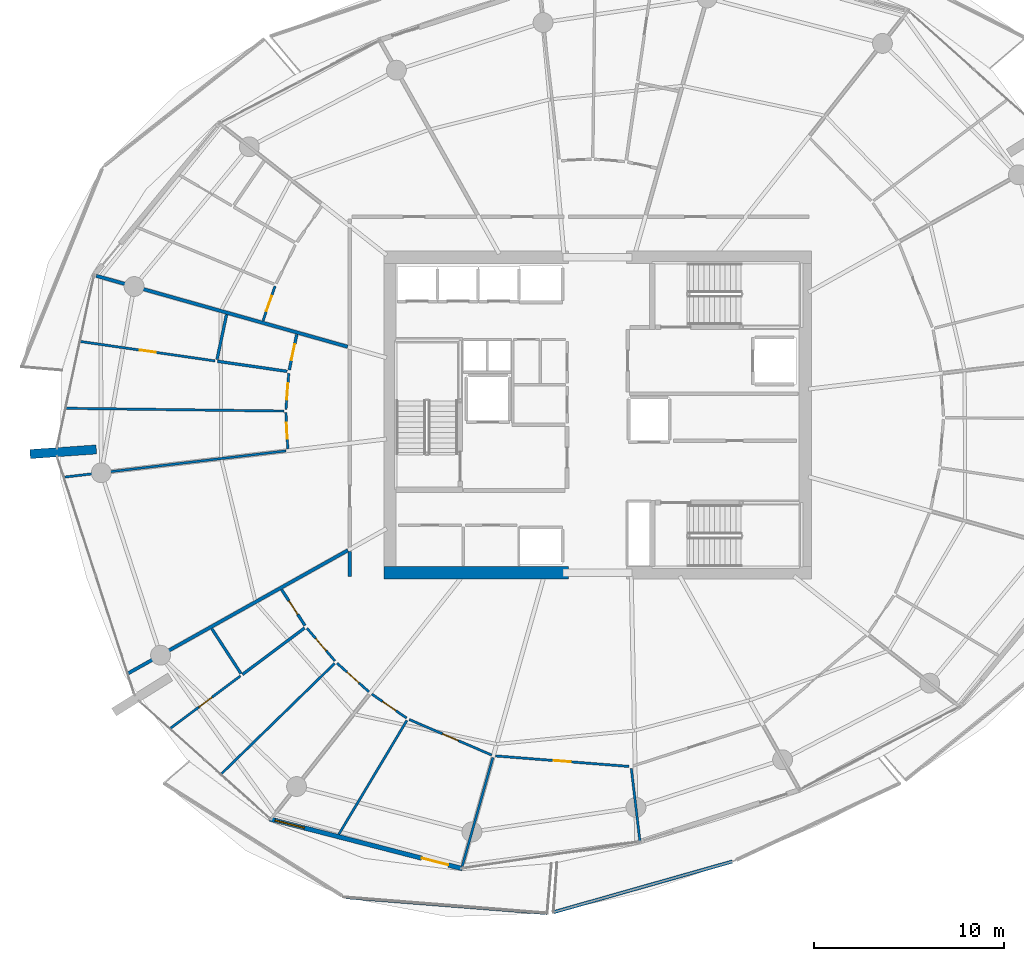
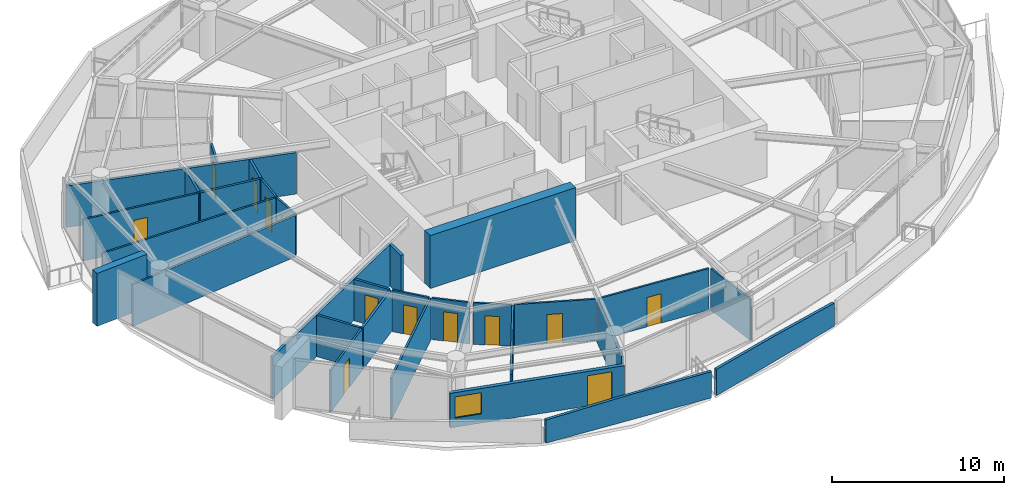
# One storey, part 11 of 20: 30 walls, 13 doors, 1 window, 14 openings.
"""IFC4 building model written with IfcOpenShell, lengths in metres."""

import ifcopenshell
import ifcopenshell.guid

model = None  # the IFC model being written
_history = None  # IfcOwnerHistory: only IFC2X3 demands one
_inside = {}  # id of a spatial element -> (the spatial element, [elements in it])
_under = {}  # id of a project, library or spatial element -> (it, [spatial elements below it])
_declared = {}  # id of a project -> (the project, [libraries it declares])
_typed = {}  # id of a type object -> (the type object, [elements of that type])
_made_of = {}  # id of a material, layer set ... -> (it, [elements and type objects made of it])


def new_model(schema):
    """Start an empty IFC model of exactly this schema.

    Asked for "IFC4X3", IfcOpenShell would pick the latest addendum, in which some entities
    have other attributes; the version numbers below select the first issue.
    IFC2X3 requires an IfcOwnerHistory on every rooted entity: one is made here for all.
    """
    global model, _history
    if schema == "IFC4X3":
        model = ifcopenshell.file(schema_version=(4, 3, 0, 0))
    else:
        model = ifcopenshell.file(schema=schema)
    _inside.clear()
    _under.clear()
    _declared.clear()
    _typed.clear()
    _made_of.clear()
    _history = None
    if model.schema == "IFC2X3":
        org = make("IfcOrganization", Name="unknown")
        user = make(
            "IfcPersonAndOrganization",
            ThePerson=make("IfcPerson", FamilyName="unknown"),
            TheOrganization=org,
        )
        app = make(
            "IfcApplication",
            ApplicationDeveloper=org,
            Version="unknown",
            ApplicationFullName="unknown",
            ApplicationIdentifier="unknown",
        )
        _history = make(
            "IfcOwnerHistory",
            OwningUser=user,
            OwningApplication=app,
            ChangeAction="ADDED",
            CreationDate=0,
        )
    return model


def make(cls, **values):
    """One entity of the class cls with the attributes given. An attribute that is None is left unset."""
    return model.create_entity(
        cls, **{name: value for name, value in values.items() if value is not None}
    )


def rooted(cls, **values):
    """An entity with a GlobalId (a new one), such as an element, a storey or a relation."""
    return make(cls, GlobalId=ifcopenshell.guid.new(), OwnerHistory=_history, **values)


def si_unit(unit_type, name, prefix=None):
    """IfcSIUnit, for example si_unit("LENGTHUNIT", "METRE", prefix="MILLI")."""
    return make("IfcSIUnit", UnitType=unit_type, Prefix=prefix, Name=name)


def assignment(units):
    """IfcUnitAssignment: the units of a project."""
    return None if units is None else make("IfcUnitAssignment", Units=units)


def point(xyz):
    """IfcCartesianPoint."""
    return None if xyz is None else make("IfcCartesianPoint", Coordinates=xyz)


def direction(xyz):
    """IfcDirection."""
    return None if xyz is None else make("IfcDirection", DirectionRatios=xyz)


def frame(location, z_axis=None, x_axis=None):
    """IfcAxis2Placement3D, a coordinate frame: its origin and axes. An axis left out is left unset."""
    return make(
        "IfcAxis2Placement3D",
        Location=point(location),
        Axis=direction(z_axis),
        RefDirection=direction(x_axis),
    )


def frame_2d(location, x_axis=None):
    """IfcAxis2Placement2D, a coordinate frame in the plane: its origin and x axis."""
    return make(
        "IfcAxis2Placement2D", Location=point(location), RefDirection=direction(x_axis)
    )


def origin():
    """The frame at (0, 0, 0) with its axes left unset."""
    return frame((0.0, 0.0, 0.0))


def place(relative_to, where):
    """IfcLocalPlacement: puts the frame where relative to a parent placement (None: the world)."""
    return make(
        "IfcLocalPlacement", PlacementRelTo=relative_to, RelativePlacement=where
    )


def context(
    kind, dimensions, precision=None, world=None, true_north=None, identifier=None
):
    """IfcGeometricRepresentationContext, for example the 3D "Model" context."""
    return make(
        "IfcGeometricRepresentationContext",
        ContextIdentifier=identifier,
        ContextType=kind,
        CoordinateSpaceDimension=dimensions,
        Precision=precision,
        WorldCoordinateSystem=world,
        TrueNorth=true_north,
    )


def subcontext(parent, identifier, kind, view, scale=None):
    """IfcGeometricRepresentationSubContext, for example "Body" below "Model"."""
    return make(
        "IfcGeometricRepresentationSubContext",
        ContextIdentifier=identifier,
        ContextType=kind,
        ParentContext=parent,
        TargetScale=scale,
        TargetView=view,
    )


def project(units=None, contexts=None):
    """IfcProject with its units and contexts."""
    return rooted(
        "IfcProject",
        Name="project",
        RepresentationContexts=contexts,
        UnitsInContext=assignment(units),
    )


def spatial(cls, under=None, at=None, **own):
    """A site, building, storey or space (cls), placed at a placement, below another one or the project."""
    s = rooted(cls, ObjectPlacement=at, **own)
    if under is not None:
        _under.setdefault(under.id(), (under, []))[1].append(s)
    return s


def polyline(points):
    """IfcPolyline through the points."""
    return make("IfcPolyline", Points=[point(p) for p in points])


def profile(cls, at=None, kind="AREA", **sizes):
    """A parametric profile (cls). Its sizes go by their IFC names, for example OverallWidth=200.0."""
    return make(cls, ProfileType=kind, Position=at, **sizes)


def rectangle(**sizes):
    """IfcRectangleProfileDef."""
    return profile("IfcRectangleProfileDef", **sizes)


def outline(outer, holes=None, kind="AREA"):
    """IfcArbitraryClosedProfileDef: a profile drawn as a closed curve; with holes, ...WithVoids."""
    if holes is None:
        return make("IfcArbitraryClosedProfileDef", ProfileType=kind, OuterCurve=outer)
    return make(
        "IfcArbitraryProfileDefWithVoids",
        ProfileType=kind,
        OuterCurve=outer,
        InnerCurves=holes,
    )


def extrude(swept, where, along, depth):
    """IfcExtrudedAreaSolid: the profile swept, set in the frame where, extruded along a direction by depth."""
    return make(
        "IfcExtrudedAreaSolid",
        SweptArea=swept,
        Position=where,
        ExtrudedDirection=direction(along),
        Depth=depth,
    )


def shape(context_of_items, identifier, shape_type, items):
    """IfcShapeRepresentation: the items that make up one representation, for example the "Body"."""
    return make(
        "IfcShapeRepresentation",
        ContextOfItems=context_of_items,
        RepresentationIdentifier=identifier,
        RepresentationType=shape_type,
        Items=items,
    )


def material(Name=None, Category=None):
    """IfcMaterial."""
    return make("IfcMaterial", Name=Name, Category=Category)


def layer(
    of_material, thickness, ventilated=None, Name=None, Category=None, Priority=None
):
    """IfcMaterialLayer: one layer of a wall or slab, of a material (None: an air gap)."""
    return make(
        "IfcMaterialLayer",
        Material=of_material,
        LayerThickness=thickness,
        IsVentilated=ventilated,
        Name=Name,
        Category=Category,
        Priority=Priority,
    )


def layer_set(layers, Name=None):
    """IfcMaterialLayerSet."""
    return make("IfcMaterialLayerSet", MaterialLayers=layers, LayerSetName=Name)


def made_of(thing, what):
    """Note that an element or type object is made of a material, layer set ...; save() writes the relation."""
    if what is not None:
        _made_of.setdefault(what.id(), (what, []))[1].append(thing)
    return thing


def type_object(cls, material=None, **own):
    """A type object (cls), such as IfcWallType, which elements share."""
    return made_of(rooted(cls, **own), material)


def element(
    cls,
    number,
    at=None,
    inside=None,
    cuts=None,
    type_object=None,
    material=None,
    context=None,
    identifier="Body",
    shape_type=None,
    held_by="IfcProductDefinitionShape",
    body=None,
    shapes=None,
    **own,
):
    """One element of the class cls, such as IfcWall. Its Tag is "e" and its number.

    at: its placement. inside: the storey or other place that contains it. cuts: it is an
    opening in that element (IfcRelVoidsElement). A single representation is given by context,
    identifier, shape_type and body (its items); several are given by shapes. held_by: the class
    of the entity that holds the representations. save() writes the other relations.
    """
    e = rooted(cls, Tag="e%d" % number, ObjectPlacement=at, **own)
    if body is not None:
        shapes = [shape(context, identifier, shape_type, body)]
    if shapes is not None:
        e.Representation = make(held_by, Representations=shapes)
    if inside is not None:
        _inside.setdefault(inside.id(), (inside, []))[1].append(e)
    if cuts is not None:
        rooted(
            "IfcRelVoidsElement", RelatingBuildingElement=cuts, RelatedOpeningElement=e
        )
    if type_object is not None:
        _typed.setdefault(type_object.id(), (type_object, []))[1].append(e)
    return made_of(e, material)


def fill(opening, filler):
    """IfcRelFillsElement: the door or window that sits in an opening."""
    return rooted(
        "IfcRelFillsElement",
        RelatingOpeningElement=opening,
        RelatedBuildingElement=filler,
    )


def aggregate(whole, parts):
    """IfcRelAggregates: a whole, such as a stair, and the parts it consists of."""
    return rooted("IfcRelAggregates", RelatingObject=whole, RelatedObjects=parts)


def save(model, path):
    """Write the relations noted so far, then the file.

    IfcRelAggregates (storeys below a building ...), IfcRelContainedInSpatialStructure (elements
    in a storey), IfcRelDefinesByType, IfcRelAssociatesMaterial and IfcRelDeclares: one each for
    every whole, place, type object, material and project.
    """
    for whole, parts in _under.values():
        aggregate(whole, parts)
    for where, things in _inside.values():
        rooted(
            "IfcRelContainedInSpatialStructure",
            RelatedElements=things,
            RelatingStructure=where,
        )
    for kind, things in _typed.values():
        rooted("IfcRelDefinesByType", RelatedObjects=things, RelatingType=kind)
    for what, things in _made_of.values():
        rooted("IfcRelAssociatesMaterial", RelatedObjects=things, RelatingMaterial=what)
    for by, libraries in _declared.values():
        rooted("IfcRelDeclares", RelatingContext=by, RelatedDefinitions=libraries)
    model.write(path)


model = new_model("IFC4")

# Units and contexts
model_context = context("Model", 3, precision=1e-05, world=origin(), true_north=direction((0.0, 1.0)))
body_context = subcontext(model_context, "Body", "Model", "MODEL_VIEW")
ifc_project = project(units=[si_unit("LENGTHUNIT", "METRE"), si_unit("AREAUNIT", "SQUARE_METRE"), si_unit("VOLUMEUNIT", "CUBIC_METRE"), si_unit("PLANEANGLEUNIT", "RADIAN"), si_unit("MASSUNIT", "GRAM", prefix="KILO")], contexts=[model_context])

# Site, building, storey
site_placement = place(None, origin())
site = spatial("IfcSite", under=ifc_project, at=site_placement, CompositionType="ELEMENT")
building_placement = place(site_placement, origin())
building = spatial("IfcBuilding", under=site, at=building_placement, Name="Kazma Halo Residences", CompositionType="ELEMENT")
storey_placement = place(building_placement, frame((0.0, 0.0, 202.800048828125)))
storey = spatial("IfcBuildingStorey", under=building, at=storey_placement, Name="L51", CompositionType="ELEMENT", Elevation=202.800048828125)

# Walls
ifc_material_1 = material(Name="White Concrete C50/60 Balustrade", Category="concrete")
ifc_layer_1 = layer(ifc_material_1, 0.179931640625)
ifc_layer_set_1 = layer_set([ifc_layer_1], Name="White Concrete C50/60 Balustrade")
wall_type_1 = type_object("IfcWallType", Name="WL-BAL-WAVE-180", PredefinedType="PARAPET", material=ifc_layer_set_1)
wall_1_placement = place(storey_placement, frame((35.1630859375, 16.56201171875, 0.0), z_axis=(0.0, 0.0, 1.0), x_axis=(0.996896537744, -0.078722887613, 0.0)))
element("IfcWall", 1, at=wall_1_placement, inside=storey, type_object=wall_type_1, Name="L51 white wave balustrade wall SW.2", PredefinedType="PARAPET", context=body_context, shape_type="SweptSolid", body=[
    extrude(outline(polyline([(0.0, 0.0), (10.640380859375, 0.0), (10.640380859375, 1.85986328125), (5.3203125, 1.7978515625), (0.0, 1.6318359375), (0.0, 0.0)])), frame((0.0, 0.08984375, 0.0), z_axis=(0.0, -1.0, 0.0), x_axis=(1.0, 0.0, 0.0)), (0.0, 0.0, 1.0), 0.179931640625),
])
wall_2_placement = place(storey_placement, frame((46.0966796875, 15.770263671875, 0.0), z_axis=(0.0, 0.0, 1.0), x_axis=(0.962080224774, 0.272766642205, 0.0)))
element("IfcWall", 2, at=wall_2_placement, inside=storey, type_object=wall_type_1, Name="L51 white wave balustrade wall SSE.1", PredefinedType="PARAPET", context=body_context, shape_type="SweptSolid", body=[
    extrude(outline(polyline([(0.0, 0.0), (9.802734375, 0.0), (9.802490234375, 1.6318359375), (4.9013671875, 1.7978515625), (0.0, 1.85986328125), (0.0, 0.0)])), frame((0.0, 0.08984375, 0.0), z_axis=(0.0, -1.0, 0.0), x_axis=(1.0, 0.0, 0.0)), (0.0, 0.0, 1.0), 0.179931640625),
])
ifc_material_2 = material(Name="Pale Concrete C60/75", Category="concrete")
ifc_layer_2 = layer(ifc_material_2, 0.47998046875)
ifc_layer_set_2 = layer_set([ifc_layer_2], Name="Pale Concrete C60/75")
wall_type_2 = type_object("IfcWallType", Name="WL-BLADE-480", PredefinedType="SOLIDWALL", material=ifc_layer_set_2)
wall_3_placement = place(storey_placement, frame((21.9873046875, 40.180908203125, 0.0), z_axis=(0.0, 0.0, 1.0), x_axis=(-0.997568676264, -0.069690287244, 0.0)))
element("IfcWall", 3, at=wall_3_placement, inside=storey, type_object=wall_type_2, Name="L51 pale concrete structural blade fin wall BW-02", PredefinedType="SOLIDWALL", context=body_context, shape_type="SweptSolid", body=[
    extrude(rectangle(XDim=3.499755859375, YDim=0.47998046875, at=frame_2d((1.75, 0.0))), origin(), (0.0, 0.0, 1.0), 3.75),
])
ifc_material_3 = material(Name="Concrete C60/75", Category="concrete")
ifc_layer_3 = layer(ifc_material_3, 0.64990234375)
ifc_layer_set_3 = layer_set([ifc_layer_3], Name="Concrete C60/75")
wall_type_3 = type_object("IfcWallType", Name="WL-CORE-650", PredefinedType="SHEAR", material=ifc_layer_set_3)
wall_4_placement = place(storey_placement, frame((37.14990234375, 33.675048828125, 0.0), z_axis=(0.0, 0.0, 1.0), x_axis=(1.0, 0.0, 0.0)))
element("IfcWall", 4, at=wall_4_placement, inside=storey, type_object=wall_type_3, Name="L51 central core shear wall SW", PredefinedType="SHEAR", context=body_context, shape_type="SweptSolid", body=[
    extrude(rectangle(XDim=9.75, YDim=0.64990234375, at=frame_2d((4.875, 0.0))), origin(), (0.0, 0.0, 1.0), 3.75),
])
ifc_material_4 = material(Name="Acoustic Twin-Stud Gypsum")
ifc_layer_4 = layer(ifc_material_4, 0.179931640625)
ifc_layer_set_4 = layer_set([ifc_layer_4], Name="Acoustic Twin-Stud Gypsum")
wall_type_4 = type_object("IfcWallType", Name="WL-DEM-180", PredefinedType="PARTITIONING", material=ifc_layer_set_4)
wall_5_placement = place(storey_placement, frame((35.244140625, 45.59765625, 0.0), z_axis=(0.0, 0.0, 1.0), x_axis=(-0.962456561262, 0.271435752405, 0.0)))
element("IfcWall", 5, at=wall_5_placement, inside=storey, type_object=wall_type_4, Name="L51 apartment demising radial wall 06", PredefinedType="PARTITIONING", context=body_context, shape_type="SweptSolid", body=[
    extrude(rectangle(XDim=13.77685546875, YDim=0.179931640625, at=frame_2d((6.888427734375, 0.0))), origin(), (0.0, 0.0, 1.0), 2.93994140625),
])
wall_6_placement = place(storey_placement, frame((35.25390625, 34.862060546875, 0.0), z_axis=(0.0, 0.0, 1.0), x_axis=(-0.872489721771, -0.488632464541, 0.0)))
element("IfcWall", 6, at=wall_6_placement, inside=storey, type_object=wall_type_4, Name="L51 apartment demising radial wall 08", PredefinedType="PARTITIONING", context=body_context, shape_type="SweptSolid", body=[
    extrude(rectangle(XDim=13.286376953125, YDim=0.179931640625, at=frame_2d((6.64306640625, 0.0))), origin(), (0.0, 0.0, 1.0), 2.93994140625),
])
wall_7_placement = place(storey_placement, frame((35.35009765625, 34.795654296875, 0.0), z_axis=(0.0, 0.0, 1.0), x_axis=(0.0, -1.0, 0.0)))
element("IfcWall", 7, at=wall_7_placement, inside=storey, type_object=wall_type_4, Name="L51 Apartment 4 inner wall 8", PredefinedType="PARTITIONING", context=body_context, shape_type="SweptSolid", body=[
    extrude(rectangle(XDim=1.32568359375, YDim=0.179931640625, at=frame_2d((0.662841796875, 0.0))), origin(), (0.0, 0.0, 1.0), 2.93994140625),
])

# Wall, openings, door, window
ifc_material_5 = material(Name="Insulated Pale-Metal Composite Wall")
ifc_layer_5 = layer(ifc_material_5, 0.239990234375)
ifc_layer_set_5 = layer_set([ifc_layer_5], Name="Insulated Pale-Metal Composite Wall")
wall_type_5 = type_object("IfcWallType", Name="WL-EXT-HOST-240", PredefinedType="SOLIDWALL", material=ifc_layer_set_5)
wall_8_placement = place(storey_placement, frame((31.139892578125, 20.68701171875, 0.0), z_axis=(0.0, 0.0, 1.0), x_axis=(0.968374028006, -0.249502989727, 0.0)))
wall_8 = element("IfcWall", 8, at=wall_8_placement, inside=storey, type_object=wall_type_5, Name="L51 exterior terrace-access wall B10", PredefinedType="SOLIDWALL", context=body_context, shape_type="SweptSolid", body=[
    extrude(rectangle(XDim=10.494384765625, YDim=0.239990234375, at=frame_2d((5.2470703125, 0.0))), origin(), (0.0, 0.0, 1.0), 2.449951171875),
])
opening_1_placement = place(wall_8_placement, frame((8.2744140625, 0.0, 0.0)))
opening_1 = element("IfcOpeningElement", 9, at=opening_1_placement, cuts=wall_8, Name="Opening DTR-1600", PredefinedType="OPENING", context=body_context, shape_type="SweptSolid", body=[
    extrude(rectangle(XDim=1.449951171875, YDim=2.14990234375, at=frame_2d((0.72509765625, 1.074951171875))), frame((0.0, 0.1298828125, 0.0), z_axis=(0.0, -1.0, 0.0), x_axis=(1.0, 0.0, 0.0)), (0.0, 0.0, 1.0), 0.260009765625),
])
opening_2_placement = place(wall_8_placement, frame((0.280029296875, 0.0, 0.64990234375)))
opening_2 = element("IfcOpeningElement", 10, at=opening_2_placement, cuts=wall_8, Name="Opening W-1800", PredefinedType="OPENING", context=body_context, shape_type="SweptSolid", body=[
    extrude(rectangle(XDim=1.60009765625, YDim=1.5, at=frame_2d((0.800048828125, 0.75))), frame((0.0, 0.1298828125, 0.0), z_axis=(0.0, -1.0, 0.0), x_axis=(1.0, 0.0, 0.0)), (0.0, 0.0, 1.0), 0.260009765625),
])
ifc_material_6 = material(Name="Aluminium AW-6063 T6 Double-Glazed Terrace Door", Category="aluminium")
door_type_1 = type_object("IfcDoorType", Name="DR-EXT-TERR-1600", OperationType="NOTDEFINED", PredefinedType="DOOR", material=ifc_material_6)
door_1_placement = place(opening_1_placement, origin())
door_1 = element("IfcDoor", 11, at=door_1_placement, inside=storey, type_object=door_type_1, Name="L51 B10 balcony terrace door", OperationType="DOUBLE_DOOR_SLIDING", OverallHeight=2.14990234375, OverallWidth=1.449951171875, PredefinedType="DOOR", context=body_context, shape_type="SweptSolid", body=[
    extrude(rectangle(XDim=1.449951171875, YDim=2.14990234375, at=frame_2d((0.72509765625, 1.074951171875))), frame((0.0, 0.02490234375, 0.0), z_axis=(0.0, -1.0, 0.0), x_axis=(1.0, 0.0, 0.0)), (0.0, 0.0, 1.0), 0.050048828125),
])
fill(opening_1, door_1)
ifc_material_7 = material(Name="Clear Triple-Silver Low-E Glass in Aluminium AW-6063 T6 Frame", Category="aluminium")
window_type = type_object("IfcWindowType", Name="WIN-RES-1800", PartitioningType="DOUBLE_PANEL_VERTICAL", PredefinedType="WINDOW", material=ifc_material_7)
window_placement = place(opening_2_placement, origin())
window = element("IfcWindow", 12, at=window_placement, inside=storey, type_object=window_type, Name="L51 B10 apartment window", OverallHeight=1.5, OverallWidth=1.60009765625, PartitioningType="SINGLE_PANEL", PredefinedType="WINDOW", context=body_context, shape_type="SweptSolid", body=[
    extrude(rectangle(XDim=1.60009765625, YDim=1.5, at=frame_2d((0.800048828125, 0.75))), frame((0.0, 0.030029296875, 0.0), z_axis=(0.0, -1.0, 0.0), x_axis=(1.0, 0.0, 0.0)), (0.0, 0.0, 1.0), 0.06005859375),
])
fill(opening_2, window)

# Wall, opening, door
ifc_material_8 = material(Name="Gypsum Plasterboard Partition")
ifc_layer_6 = layer(ifc_material_8, 0.125)
ifc_layer_set_6 = layer_set([ifc_layer_6], Name="Gypsum Plasterboard Partition")
wall_type_6 = type_object("IfcWallType", Name="WL-PART-125", PredefinedType="PARTITIONING", material=ifc_layer_set_6)
wall_9_placement = place(storey_placement, frame((31.4140625, 48.793701171875, 0.0), z_axis=(0.0, 0.0, 1.0), x_axis=(-0.32794461855, -0.944696949907, 0.0)))
wall_9 = element("IfcWall", 13, at=wall_9_placement, inside=storey, type_object=wall_type_6, Name="L51 Apartment 2 Primary Bedroom hall wall", PredefinedType="PARTITIONING", context=body_context, shape_type="SweptSolid", body=[
    extrude(rectangle(XDim=1.93994140625, YDim=0.125, at=frame_2d((0.969970703125, 0.0))), origin(), (0.0, 0.0, 1.0), 2.93994140625),
])
opening_3_placement = place(wall_9_placement, frame((0.544921875, 0.0, 0.0)))
opening_3 = element("IfcOpeningElement", 14, at=opening_3_placement, cuts=wall_9, Name="Opening DB-900", PredefinedType="OPENING", context=body_context, shape_type="SweptSolid", body=[
    extrude(rectangle(XDim=0.85009765625, YDim=2.06005859375, at=frame_2d((0.425048828125, 1.030029296875))), frame((0.0, 0.072509765625, 0.0), z_axis=(0.0, -1.0, 0.0), x_axis=(1.0, 0.0, 0.0)), (0.0, 0.0, 1.0), 0.14501953125),
])
ifc_material_9 = material(Name="Moisture-Sealed Timber Leaf", Category="wood")
door_type_2 = type_object("IfcDoorType", Name="DR-BTH-900", OperationType="NOTDEFINED", PredefinedType="DOOR", material=ifc_material_9)
door_2_placement = place(opening_3_placement, origin())
door_2 = element("IfcDoor", 15, at=door_2_placement, inside=storey, type_object=door_type_2, Name="L51 Apartment 2 Primary Bedroom door", OperationType="SINGLE_SWING_RIGHT", OverallHeight=2.06005859375, OverallWidth=0.85009765625, PredefinedType="DOOR", context=body_context, shape_type="SweptSolid", body=[
    extrude(rectangle(XDim=0.85009765625, YDim=2.06005859375, at=frame_2d((0.425048828125, 1.030029296875))), frame((0.0, 0.02490234375, 0.0), z_axis=(0.0, -1.0, 0.0), x_axis=(1.0, 0.0, 0.0)), (0.0, 0.0, 1.0), 0.050048828125),
])
fill(opening_3, door_2)

# Wall
wall_10_placement = place(storey_placement, frame((31.99267578125, 40.10546875, 0.0), z_axis=(0.0, 0.0, 1.0), x_axis=(-0.993067142816, -0.117548500026, 0.0)))
element("IfcWall", 16, at=wall_10_placement, inside=storey, type_object=wall_type_6, Name="L51 Apartment 3 living radial partition 6", PredefinedType="PARTITIONING", context=body_context, shape_type="SweptSolid", body=[
    extrude(rectangle(XDim=11.776123046875, YDim=0.125, at=frame_2d((5.88818359375, 0.0))), origin(), (0.0, 0.0, 1.0), 2.93994140625),
])

# Wall, opening, door
wall_11_placement = place(storey_placement, frame((28.24560546875, 44.85107421875, 0.0), z_axis=(0.0, 0.0, 1.0), x_axis=(-0.989746473816, 0.142835281243, 0.0)))
wall_11 = element("IfcWall", 17, at=wall_11_placement, inside=storey, type_object=wall_type_6, Name="L51 Apartment 3 Utility Laundry Room partition wall", PredefinedType="PARTITIONING", context=body_context, shape_type="SweptSolid", body=[
    extrude(rectangle(XDim=7.1787109375, YDim=0.125, at=frame_2d((3.58935546875, 0.0))), origin(), (0.0, 0.0, 1.0), 2.93994140625),
])
opening_4_placement = place(wall_11_placement, frame((3.164306640625, 0.0, 0.0)))
opening_4 = element("IfcOpeningElement", 18, at=opening_4_placement, cuts=wall_11, Name="Opening DB-900", PredefinedType="OPENING", context=body_context, shape_type="SweptSolid", body=[
    extrude(rectangle(XDim=0.85009765625, YDim=2.06005859375, at=frame_2d((0.425048828125, 1.030029296875))), frame((0.0, 0.072509765625, 0.0), z_axis=(0.0, -1.0, 0.0), x_axis=(1.0, 0.0, 0.0)), (0.0, 0.0, 1.0), 0.14501953125),
])
door_3_placement = place(opening_4_placement, origin())
door_3 = element("IfcDoor", 19, at=door_3_placement, inside=storey, type_object=door_type_2, Name="L51 Apartment 3 Utility Laundry Room door", OperationType="SINGLE_SWING_LEFT", OverallHeight=2.06005859375, OverallWidth=0.85009765625, PredefinedType="DOOR", context=body_context, shape_type="SweptSolid", body=[
    extrude(rectangle(XDim=0.85009765625, YDim=2.06005859375, at=frame_2d((0.425048828125, 1.030029296875))), frame((0.0, 0.02490234375, 0.0), z_axis=(0.0, -1.0, 0.0), x_axis=(1.0, 0.0, 0.0)), (0.0, 0.0, 1.0), 0.050048828125),
])
fill(opening_4, door_3)

# Wall
wall_12_placement = place(storey_placement, frame((31.892333984375, 42.20556640625, 0.0), z_axis=(0.0, 0.0, 1.0), x_axis=(-0.999918457131, 0.012770242298, 0.0)))
element("IfcWall", 20, at=wall_12_placement, inside=storey, type_object=wall_type_6, Name="L51 Apartment 3 suite divider 6", PredefinedType="PARTITIONING", context=body_context, shape_type="SweptSolid", body=[
    extrude(rectangle(XDim=11.509033203125, YDim=0.125, at=frame_2d((5.75439453125, 0.0))), origin(), (0.0, 0.0, 1.0), 2.93994140625),
])

# Wall, opening, door
wall_13_placement = place(storey_placement, frame((32.13818359375, 44.198486328125, 0.0), z_axis=(0.0, 0.0, 1.0), x_axis=(-0.077940981826, -0.996957974717, 0.0)))
wall_13 = element("IfcWall", 21, at=wall_13_placement, inside=storey, type_object=wall_type_6, Name="L51 Apartment 3 Gourmet Kitchen hall wall", PredefinedType="PARTITIONING", context=body_context, shape_type="SweptSolid", body=[
    extrude(rectangle(XDim=1.920166015625, YDim=0.125, at=frame_2d((0.9599609375, 0.0))), origin(), (0.0, 0.0, 1.0), 2.93994140625),
])
opening_5_placement = place(wall_13_placement, frame((0.53515625, 0.0, 0.0)))
opening_5 = element("IfcOpeningElement", 22, at=opening_5_placement, cuts=wall_13, Name="Opening DB-900", PredefinedType="OPENING", context=body_context, shape_type="SweptSolid", body=[
    extrude(rectangle(XDim=0.85009765625, YDim=2.06005859375, at=frame_2d((0.425048828125, 1.030029296875))), frame((0.0, 0.072509765625, 0.0), z_axis=(0.0, -1.0, 0.0), x_axis=(1.0, 0.0, 0.0)), (0.0, 0.0, 1.0), 0.14501953125),
])
door_4_placement = place(opening_5_placement, origin())
door_4 = element("IfcDoor", 23, at=door_4_placement, inside=storey, type_object=door_type_2, Name="L51 Apartment 3 Gourmet Kitchen door", OperationType="SINGLE_SWING_RIGHT", OverallHeight=2.06005859375, OverallWidth=0.85009765625, PredefinedType="DOOR", context=body_context, shape_type="SweptSolid", body=[
    extrude(rectangle(XDim=0.85009765625, YDim=2.06005859375, at=frame_2d((0.425048828125, 1.030029296875))), frame((0.0, 0.02490234375, 0.0), z_axis=(0.0, -1.0, 0.0), x_axis=(1.0, 0.0, 0.0)), (0.0, 0.0, 1.0), 0.050048828125),
])
fill(opening_5, door_4)

wall_14_placement = place(storey_placement, frame((31.986572265625, 42.12451171875, 0.0), z_axis=(0.0, 0.0, 1.0), x_axis=(0.052531998998, -0.998619241293, 0.0)))
wall_14 = element("IfcWall", 24, at=wall_14_placement, inside=storey, type_object=wall_type_6, Name="L51 Apartment 3 Primary Bedroom hall wall", PredefinedType="PARTITIONING", context=body_context, shape_type="SweptSolid", body=[
    extrude(rectangle(XDim=1.91015625, YDim=0.125, at=frame_2d((0.955078125, 0.0))), origin(), (0.0, 0.0, 1.0), 2.93994140625),
])
opening_6_placement = place(wall_14_placement, frame((0.530029296875, 0.0, 0.0)))
opening_6 = element("IfcOpeningElement", 25, at=opening_6_placement, cuts=wall_14, Name="Opening DB-900", PredefinedType="OPENING", context=body_context, shape_type="SweptSolid", body=[
    extrude(rectangle(XDim=0.85009765625, YDim=2.06005859375, at=frame_2d((0.425048828125, 1.030029296875))), frame((0.0, 0.072509765625, 0.0), z_axis=(0.0, -1.0, 0.0), x_axis=(1.0, 0.0, 0.0)), (0.0, 0.0, 1.0), 0.14501953125),
])
door_5_placement = place(opening_6_placement, origin())
door_5 = element("IfcDoor", 26, at=door_5_placement, inside=storey, type_object=door_type_2, Name="L51 Apartment 3 Primary Bedroom door", OperationType="SINGLE_SWING_LEFT", OverallHeight=2.06005859375, OverallWidth=0.85009765625, PredefinedType="DOOR", context=body_context, shape_type="SweptSolid", body=[
    extrude(rectangle(XDim=0.85009765625, YDim=2.06005859375, at=frame_2d((0.425048828125, 1.030029296875))), frame((0.0, 0.02490234375, 0.0), z_axis=(0.0, -1.0, 0.0), x_axis=(1.0, 0.0, 0.0)), (0.0, 0.0, 1.0), 0.050048828125),
])
fill(opening_6, door_5)

wall_15_placement = place(storey_placement, frame((29.590576171875, 28.234375, 0.0), z_axis=(0.0, 0.0, 1.0), x_axis=(-0.80085424852, -0.598859309544, 0.0)))
wall_15 = element("IfcWall", 27, at=wall_15_placement, inside=storey, type_object=wall_type_6, Name="L51 Apartment 4 Household Store Room partition wall", PredefinedType="PARTITIONING", context=body_context, shape_type="SweptSolid", body=[
    extrude(rectangle(XDim=4.62548828125, YDim=0.125, at=frame_2d((2.312744140625, 0.0))), origin(), (0.0, 0.0, 1.0), 2.93994140625),
])
opening_7_placement = place(wall_15_placement, frame((1.8876953125, 0.0, 0.0)))
opening_7 = element("IfcOpeningElement", 28, at=opening_7_placement, cuts=wall_15, Name="Opening DB-900", PredefinedType="OPENING", context=body_context, shape_type="SweptSolid", body=[
    extrude(rectangle(XDim=0.85009765625, YDim=2.06005859375, at=frame_2d((0.425048828125, 1.030029296875))), frame((0.0, 0.072509765625, 0.0), z_axis=(0.0, -1.0, 0.0), x_axis=(1.0, 0.0, 0.0)), (0.0, 0.0, 1.0), 0.14501953125),
])
door_6_placement = place(opening_7_placement, origin())
door_6 = element("IfcDoor", 29, at=door_6_placement, inside=storey, type_object=door_type_2, Name="L51 Apartment 4 Household Store Room door", OperationType="SINGLE_SWING_LEFT", OverallHeight=2.06005859375, OverallWidth=0.85009765625, PredefinedType="DOOR", context=body_context, shape_type="SweptSolid", body=[
    extrude(rectangle(XDim=0.85009765625, YDim=2.06005859375, at=frame_2d((0.425048828125, 1.030029296875))), frame((0.0, 0.02490234375, 0.0), z_axis=(0.0, -1.0, 0.0), x_axis=(1.0, 0.0, 0.0)), (0.0, 0.0, 1.0), 0.050048828125),
])
fill(opening_7, door_6)

# Wall
wall_16_placement = place(storey_placement, frame((34.5615234375, 28.900146484375, 0.0), z_axis=(0.0, 0.0, 1.0), x_axis=(-0.716077779963, -0.698020496148, 0.0)))
element("IfcWall", 30, at=wall_16_placement, inside=storey, type_object=wall_type_6, Name="L51 Apartment 4 suite divider 8", PredefinedType="PARTITIONING", context=body_context, shape_type="SweptSolid", body=[
    extrude(rectangle(XDim=8.369140625, YDim=0.125, at=frame_2d((4.1845703125, 0.0))), origin(), (0.0, 0.0, 1.0), 2.93994140625),
])

# Wall, opening, door
wall_17_placement = place(storey_placement, frame((33.100830078125, 30.746826171875, 0.0), z_axis=(0.0, 0.0, 1.0), x_axis=(0.649815270802, -0.760092174564, 0.0)))
wall_17 = element("IfcWall", 31, at=wall_17_placement, inside=storey, type_object=wall_type_6, Name="L51 Apartment 4 Gourmet Kitchen hall wall", PredefinedType="PARTITIONING", context=body_context, shape_type="SweptSolid", body=[
    extrude(rectangle(XDim=2.26708984375, YDim=0.125, at=frame_2d((1.133544921875, 0.0))), origin(), (0.0, 0.0, 1.0), 2.93994140625),
])
opening_8_placement = place(wall_17_placement, frame((0.70849609375, 0.0, 0.0)))
opening_8 = element("IfcOpeningElement", 32, at=opening_8_placement, cuts=wall_17, Name="Opening DB-900", PredefinedType="OPENING", context=body_context, shape_type="SweptSolid", body=[
    extrude(rectangle(XDim=0.85009765625, YDim=2.06005859375, at=frame_2d((0.425048828125, 1.030029296875))), frame((0.0, 0.072509765625, 0.0), z_axis=(0.0, -1.0, 0.0), x_axis=(1.0, 0.0, 0.0)), (0.0, 0.0, 1.0), 0.14501953125),
])
door_7_placement = place(opening_8_placement, origin())
door_7 = element("IfcDoor", 33, at=door_7_placement, inside=storey, type_object=door_type_2, Name="L51 Apartment 4 Gourmet Kitchen door", OperationType="SINGLE_SWING_RIGHT", OverallHeight=2.06005859375, OverallWidth=0.85009765625, PredefinedType="DOOR", context=body_context, shape_type="SweptSolid", body=[
    extrude(rectangle(XDim=0.85009765625, YDim=2.06005859375, at=frame_2d((0.425048828125, 1.030029296875))), frame((0.0, 0.02490234375, 0.0), z_axis=(0.0, -1.0, 0.0), x_axis=(1.0, 0.0, 0.0)), (0.0, 0.0, 1.0), 0.050048828125),
])
fill(opening_8, door_7)

wall_18_placement = place(storey_placement, frame((34.685302734375, 28.909423828125, 0.0), z_axis=(0.0, 0.0, 1.0), x_axis=(0.74323497862, -0.669030467584, 0.0)))
wall_18 = element("IfcWall", 34, at=wall_18_placement, inside=storey, type_object=wall_type_6, Name="L51 Apartment 4 Primary Bedroom hall wall", PredefinedType="PARTITIONING", context=body_context, shape_type="SweptSolid", body=[
    extrude(rectangle(XDim=2.257080078125, YDim=0.125, at=frame_2d((1.12841796875, 0.0))), origin(), (0.0, 0.0, 1.0), 2.93994140625),
])
opening_9_placement = place(wall_18_placement, frame((0.70361328125, 0.0, 0.0)))
opening_9 = element("IfcOpeningElement", 35, at=opening_9_placement, cuts=wall_18, Name="Opening DB-900", PredefinedType="OPENING", context=body_context, shape_type="SweptSolid", body=[
    extrude(rectangle(XDim=0.85009765625, YDim=2.06005859375, at=frame_2d((0.425048828125, 1.030029296875))), frame((0.0, 0.072509765625, 0.0), z_axis=(0.0, -1.0, 0.0), x_axis=(1.0, 0.0, 0.0)), (0.0, 0.0, 1.0), 0.14501953125),
])
door_8_placement = place(opening_9_placement, origin())
door_8 = element("IfcDoor", 36, at=door_8_placement, inside=storey, type_object=door_type_2, Name="L51 Apartment 4 Primary Bedroom door", OperationType="SINGLE_SWING_LEFT", OverallHeight=2.06005859375, OverallWidth=0.85009765625, PredefinedType="DOOR", context=body_context, shape_type="SweptSolid", body=[
    extrude(rectangle(XDim=0.85009765625, YDim=2.06005859375, at=frame_2d((0.425048828125, 1.030029296875))), frame((0.0, 0.02490234375, 0.0), z_axis=(0.0, -1.0, 0.0), x_axis=(1.0, 0.0, 0.0)), (0.0, 0.0, 1.0), 0.050048828125),
])
fill(opening_9, door_8)

# Wall
wall_19_placement = place(storey_placement, frame((38.370849609375, 25.8916015625, 0.0), z_axis=(0.0, 0.0, 1.0), x_axis=(-0.513096895206, -0.858330691593, 0.0)))
element("IfcWall", 37, at=wall_19_placement, inside=storey, type_object=wall_type_6, Name="L51 Apartment 4 mid-bay wall 9", PredefinedType="PARTITIONING", context=body_context, shape_type="SweptSolid", body=[
    extrude(rectangle(XDim=7.01025390625, YDim=0.125, at=frame_2d((3.505126953125, 0.0))), origin(), (0.0, 0.0, 1.0), 2.93994140625),
])

# Wall, opening, door
wall_20_placement = place(storey_placement, frame((36.51953125, 27.27587890625, 0.0), z_axis=(0.0, 0.0, 1.0), x_axis=(0.823561163257, -0.567227476746, 0.0)))
wall_20 = element("IfcWall", 38, at=wall_20_placement, inside=storey, type_object=wall_type_6, Name="L51 Apartment 4 Primary Wine Pantry Store hall wall", PredefinedType="PARTITIONING", context=body_context, shape_type="SweptSolid", body=[
    extrude(rectangle(XDim=2.223876953125, YDim=0.125, at=frame_2d((1.11181640625, 0.0))), origin(), (0.0, 0.0, 1.0), 2.93994140625),
])
opening_10_placement = place(wall_20_placement, frame((0.68701171875, 0.0, 0.0)))
opening_10 = element("IfcOpeningElement", 39, at=opening_10_placement, cuts=wall_20, Name="Opening DB-900", PredefinedType="OPENING", context=body_context, shape_type="SweptSolid", body=[
    extrude(rectangle(XDim=0.85009765625, YDim=2.06005859375, at=frame_2d((0.425048828125, 1.030029296875))), frame((0.0, 0.072509765625, 0.0), z_axis=(0.0, -1.0, 0.0), x_axis=(1.0, 0.0, 0.0)), (0.0, 0.0, 1.0), 0.14501953125),
])
door_9_placement = place(opening_10_placement, origin())
door_9 = element("IfcDoor", 40, at=door_9_placement, inside=storey, type_object=door_type_2, Name="L51 Apartment 4 Primary Wine Pantry Store door", OperationType="SINGLE_SWING_LEFT", OverallHeight=2.06005859375, OverallWidth=0.85009765625, PredefinedType="DOOR", context=body_context, shape_type="SweptSolid", body=[
    extrude(rectangle(XDim=0.85009765625, YDim=2.06005859375, at=frame_2d((0.425048828125, 1.030029296875))), frame((0.0, 0.02490234375, 0.0), z_axis=(0.0, -1.0, 0.0), x_axis=(1.0, 0.0, 0.0)), (0.0, 0.0, 1.0), 0.050048828125),
])
fill(opening_10, door_9)

wall_21_placement = place(storey_placement, frame((38.490478515625, 25.937255859375, 0.0), z_axis=(0.0, 0.0, 1.0), x_axis=(0.91836706471, -0.39572962292, 0.0)))
wall_21 = element("IfcWall", 41, at=wall_21_placement, inside=storey, type_object=wall_type_6, Name="L51 Apartment 4 Secondary Formal Dining Room hall wall", PredefinedType="PARTITIONING", context=body_context, shape_type="SweptSolid", body=[
    extrude(rectangle(XDim=4.734375, YDim=0.125, at=frame_2d((2.3671875, 0.0))), origin(), (0.0, 0.0, 1.0), 2.93994140625),
])
opening_11_placement = place(wall_21_placement, frame((1.917236328125, 0.0, 0.0)))
opening_11 = element("IfcOpeningElement", 42, at=opening_11_placement, cuts=wall_21, Name="Opening DI-950", PredefinedType="OPENING", context=body_context, shape_type="SweptSolid", body=[
    extrude(rectangle(XDim=0.89990234375, YDim=2.080078125, at=frame_2d((0.449951171875, 1.0400390625))), frame((0.0, 0.072509765625, 0.0), z_axis=(0.0, -1.0, 0.0), x_axis=(1.0, 0.0, 0.0)), (0.0, 0.0, 1.0), 0.14501953125),
])
ifc_material_10 = material(Name="Timber Veneer Flush Leaf", Category="wood")
door_type_3 = type_object("IfcDoorType", Name="DR-INT-950", OperationType="NOTDEFINED", PredefinedType="DOOR", material=ifc_material_10)
door_10_placement = place(opening_11_placement, origin())
door_10 = element("IfcDoor", 43, at=door_10_placement, inside=storey, type_object=door_type_3, Name="L51 Apartment 4 Secondary Formal Dining Room door", OperationType="SINGLE_SWING_RIGHT", OverallHeight=2.080078125, OverallWidth=0.89990234375, PredefinedType="DOOR", context=body_context, shape_type="SweptSolid", body=[
    extrude(rectangle(XDim=0.89990234375, YDim=2.080078125, at=frame_2d((0.449951171875, 1.0400390625))), frame((0.0, 0.02490234375, 0.0), z_axis=(0.0, -1.0, 0.0), x_axis=(1.0, 0.0, 0.0)), (0.0, 0.0, 1.0), 0.050048828125),
])
fill(opening_11, door_10)

# Wall
wall_22_placement = place(storey_placement, frame((42.9033203125, 23.927978515625, 0.0), z_axis=(0.0, 0.0, 1.0), x_axis=(-0.2714679616, -0.962447476917, 0.0)))
element("IfcWall", 44, at=wall_22_placement, inside=storey, type_object=wall_type_6, Name="L51 Apartment 4 radial partition 10", PredefinedType="PARTITIONING", context=body_context, shape_type="SweptSolid", body=[
    extrude(rectangle(XDim=5.949951171875, YDim=0.125, at=frame_2d((2.97509765625, 0.0))), origin(), (0.0, 0.0, 1.0), 2.93994140625),
])

# Wall, opening, door
wall_23_placement = place(storey_placement, frame((43.0400390625, 24.015625, 0.0), z_axis=(0.0, 0.0, 1.0), x_axis=(0.996917803484, -0.078453126749, 0.0)))
wall_23 = element("IfcWall", 45, at=wall_23_placement, inside=storey, type_object=wall_type_6, Name="L51 Apartment 4 East Master Bedroom gallery wall", PredefinedType="PARTITIONING", context=body_context, shape_type="SweptSolid", body=[
    extrude(rectangle(XDim=7.067138671875, YDim=0.125, at=frame_2d((3.53369140625, 0.0))), origin(), (0.0, 0.0, 1.0), 2.93994140625),
])
opening_12_placement = place(wall_23_placement, frame((3.08349609375, 0.0, 0.0)))
opening_12 = element("IfcOpeningElement", 46, at=opening_12_placement, cuts=wall_23, Name="Opening DI-950", PredefinedType="OPENING", context=body_context, shape_type="SweptSolid", body=[
    extrude(rectangle(XDim=0.89990234375, YDim=2.080078125, at=frame_2d((0.449951171875, 1.0400390625))), frame((0.0, 0.072509765625, 0.0), z_axis=(0.0, -1.0, 0.0), x_axis=(1.0, 0.0, 0.0)), (0.0, 0.0, 1.0), 0.14501953125),
])
door_11_placement = place(opening_12_placement, origin())
door_11 = element("IfcDoor", 47, at=door_11_placement, inside=storey, type_object=door_type_3, Name="L51 Apartment 4 East Master Bedroom door", OperationType="SINGLE_SWING_RIGHT", OverallHeight=2.080078125, OverallWidth=0.89990234375, PredefinedType="DOOR", context=body_context, shape_type="SweptSolid", body=[
    extrude(rectangle(XDim=0.89990234375, YDim=2.080078125, at=frame_2d((0.449951171875, 1.0400390625))), frame((0.0, 0.02490234375, 0.0), z_axis=(0.0, -1.0, 0.0), x_axis=(1.0, 0.0, 0.0)), (0.0, 0.0, 1.0), 0.050048828125),
])
fill(opening_12, door_11)

# Wall
wall_24_placement = place(storey_placement, frame((50.20703125, 23.353271484375, 0.0), z_axis=(0.0, 0.0, 1.0), x_axis=(0.117498356417, -0.993073076988, 0.0)))
element("IfcWall", 48, at=wall_24_placement, inside=storey, type_object=wall_type_6, Name="L51 Apartment 4 radial partition 11", PredefinedType="PARTITIONING", context=body_context, shape_type="SweptSolid", body=[
    extrude(rectangle(XDim=3.8583984375, YDim=0.125, at=frame_2d((1.92919921875, 0.0))), origin(), (0.0, 0.0, 1.0), 2.93994140625),
])

# Wall, opening, door
ifc_material_11 = material(Name="Moisture-Resistant Gypsum")
ifc_layer_7 = layer(ifc_material_11, 0.14990234375)
ifc_layer_set_7 = layer_set([ifc_layer_7], Name="Moisture-Resistant Gypsum")
wall_type_7 = type_object("IfcWallType", Name="WL-WET-150", PredefinedType="PARTITIONING", material=ifc_layer_set_7)
wall_25_placement = place(storey_placement, frame((32.5615234375, 46.25048828125, 0.0), z_axis=(0.0, 0.0, 1.0), x_axis=(-0.207448781271, -0.978245880722, 0.0)))
wall_25 = element("IfcWall", 49, at=wall_25_placement, inside=storey, type_object=wall_type_7, Name="L51 Apartment 3 Guest Bathroom hall wall", PredefinedType="PARTITIONING", context=body_context, shape_type="SweptSolid", body=[
    extrude(rectangle(XDim=1.916015625, YDim=0.14990234375, at=frame_2d((0.9580078125, 0.0))), origin(), (0.0, 0.0, 1.0), 2.93994140625),
])
opening_13_placement = place(wall_25_placement, frame((0.532958984375, 0.0, 0.0)))
opening_13 = element("IfcOpeningElement", 50, at=opening_13_placement, cuts=wall_25, Name="Opening DB-900", PredefinedType="OPENING", context=body_context, shape_type="SweptSolid", body=[
    extrude(rectangle(XDim=0.85009765625, YDim=2.06005859375, at=frame_2d((0.425048828125, 1.030029296875))), frame((0.0, 0.0849609375, 0.0), z_axis=(0.0, -1.0, 0.0), x_axis=(1.0, 0.0, 0.0)), (0.0, 0.0, 1.0), 0.169921875),
])
door_12_placement = place(opening_13_placement, origin())
door_12 = element("IfcDoor", 51, at=door_12_placement, inside=storey, type_object=door_type_2, Name="L51 Apartment 3 Guest Bathroom door", OperationType="SINGLE_SWING_RIGHT", OverallHeight=2.06005859375, OverallWidth=0.85009765625, PredefinedType="DOOR", context=body_context, shape_type="SweptSolid", body=[
    extrude(rectangle(XDim=0.85009765625, YDim=2.06005859375, at=frame_2d((0.425048828125, 1.030029296875))), frame((0.0, 0.02490234375, 0.0), z_axis=(0.0, -1.0, 0.0), x_axis=(1.0, 0.0, 0.0)), (0.0, 0.0, 1.0), 0.050048828125),
])
fill(opening_13, door_12)

# Walls
wall_26_placement = place(storey_placement, frame((28.856201171875, 47.29541015625, 0.0), z_axis=(0.0, 0.0, 1.0), x_axis=(-0.207559748813, -0.978222342146, 0.0)))
element("IfcWall", 52, at=wall_26_placement, inside=storey, type_object=wall_type_7, Name="L51 Apartment 3 Guest Bathroom back wall", PredefinedType="PARTITIONING", context=body_context, shape_type="SweptSolid", body=[
    extrude(rectangle(XDim=2.421875, YDim=0.14990234375, at=frame_2d((1.2109375, 0.0))), origin(), (0.0, 0.0, 1.0), 2.93994140625),
])
wall_27_placement = place(storey_placement, frame((32.05615234375, 44.301025390625, 0.0), z_axis=(0.0, 0.0, 1.0), x_axis=(-0.989739703903, 0.142882184045, 0.0)))
element("IfcWall", 53, at=wall_27_placement, inside=storey, type_object=wall_type_7, Name="L51 Apartment 3 Guest Bathroom side wall", PredefinedType="PARTITIONING", context=body_context, shape_type="SweptSolid", body=[
    extrude(rectangle(XDim=3.7197265625, YDim=0.14990234375, at=frame_2d((1.85986328125, 0.0))), origin(), (0.0, 0.0, 1.0), 2.93994140625),
])

# Wall, opening, door
wall_28_placement = place(storey_placement, frame((31.7587890625, 32.790283203125, 0.0), z_axis=(0.0, 0.0, 1.0), x_axis=(0.544988350595, -0.838443616301, 0.0)))
wall_28 = element("IfcWall", 54, at=wall_28_placement, inside=storey, type_object=wall_type_7, Name="L51 Apartment 4 Guest Bathroom hall wall", PredefinedType="PARTITIONING", context=body_context, shape_type="SweptSolid", body=[
    extrude(rectangle(XDim=2.265380859375, YDim=0.14990234375, at=frame_2d((1.1328125, 0.0))), origin(), (0.0, 0.0, 1.0), 2.93994140625),
])
opening_14_placement = place(wall_28_placement, frame((0.70751953125, 0.0, 0.0)))
opening_14 = element("IfcOpeningElement", 55, at=opening_14_placement, cuts=wall_28, Name="Opening DB-900", PredefinedType="OPENING", context=body_context, shape_type="SweptSolid", body=[
    extrude(rectangle(XDim=0.85009765625, YDim=2.06005859375, at=frame_2d((0.425048828125, 1.030029296875))), frame((0.0, 0.0849609375, 0.0), z_axis=(0.0, -1.0, 0.0), x_axis=(1.0, 0.0, 0.0)), (0.0, 0.0, 1.0), 0.169921875),
])
door_13_placement = place(opening_14_placement, origin())
door_13 = element("IfcDoor", 56, at=door_13_placement, inside=storey, type_object=door_type_2, Name="L51 Apartment 4 Guest Bathroom door", OperationType="SINGLE_SWING_RIGHT", OverallHeight=2.06005859375, OverallWidth=0.85009765625, PredefinedType="DOOR", context=body_context, shape_type="SweptSolid", body=[
    extrude(rectangle(XDim=0.85009765625, YDim=2.06005859375, at=frame_2d((0.425048828125, 1.030029296875))), frame((0.0, 0.02490234375, 0.0), z_axis=(0.0, -1.0, 0.0), x_axis=(1.0, 0.0, 0.0)), (0.0, 0.0, 1.0), 0.050048828125),
])
fill(opening_14, door_13)

# Walls
wall_29_placement = place(storey_placement, frame((28.076904296875, 30.728271484375, 0.0), z_axis=(0.0, 0.0, 1.0), x_axis=(0.544973135676, -0.838453505802, 0.0)))
element("IfcWall", 57, at=wall_29_placement, inside=storey, type_object=wall_type_7, Name="L51 Apartment 4 Guest Bathroom back wall", PredefinedType="PARTITIONING", context=body_context, shape_type="SweptSolid", body=[
    extrude(rectangle(XDim=2.820068359375, YDim=0.14990234375, at=frame_2d((1.41015625, 0.0))), origin(), (0.0, 0.0, 1.0), 2.93994140625),
])
wall_30_placement = place(storey_placement, frame((32.97021484375, 30.761474609375, 0.0), z_axis=(0.0, 0.0, 1.0), x_axis=(-0.800880183309, -0.598824625398, 0.0)))
element("IfcWall", 58, at=wall_30_placement, inside=storey, type_object=wall_type_7, Name="L51 Apartment 4 Guest Bathroom side wall", PredefinedType="PARTITIONING", context=body_context, shape_type="SweptSolid", body=[
    extrude(rectangle(XDim=4.090087890625, YDim=0.14990234375, at=frame_2d((2.044921875, 0.0))), origin(), (0.0, 0.0, 1.0), 2.93994140625),
])

save(model, "model.ifc")
